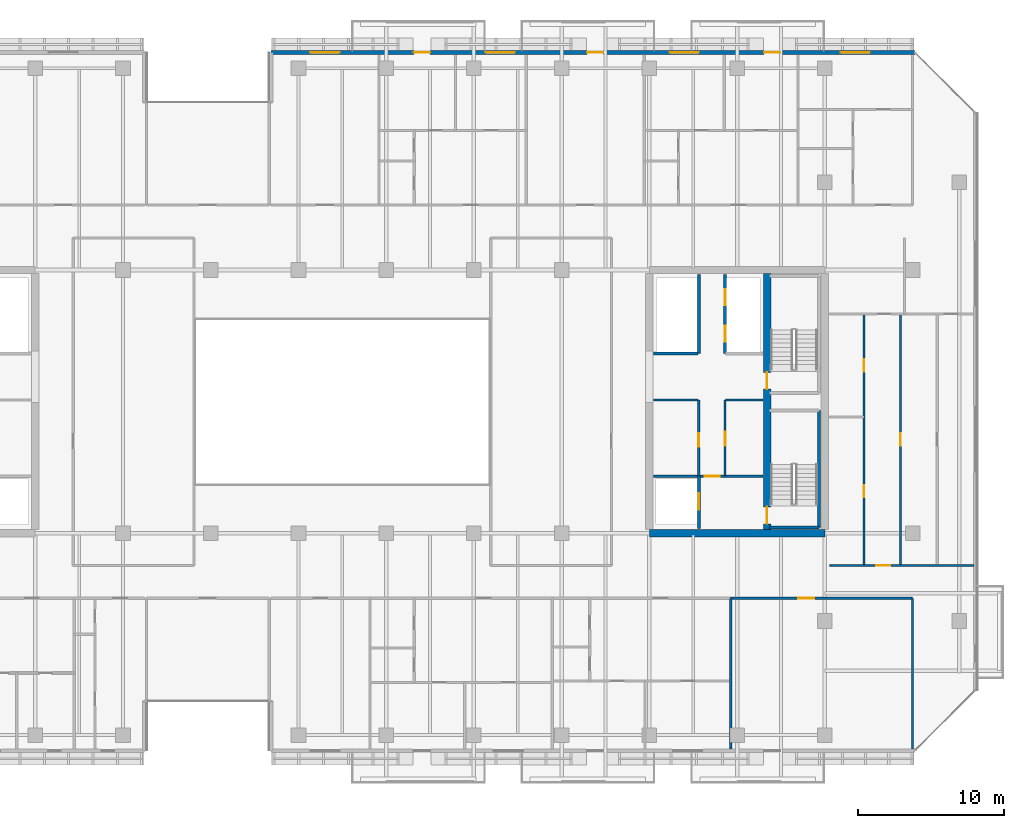
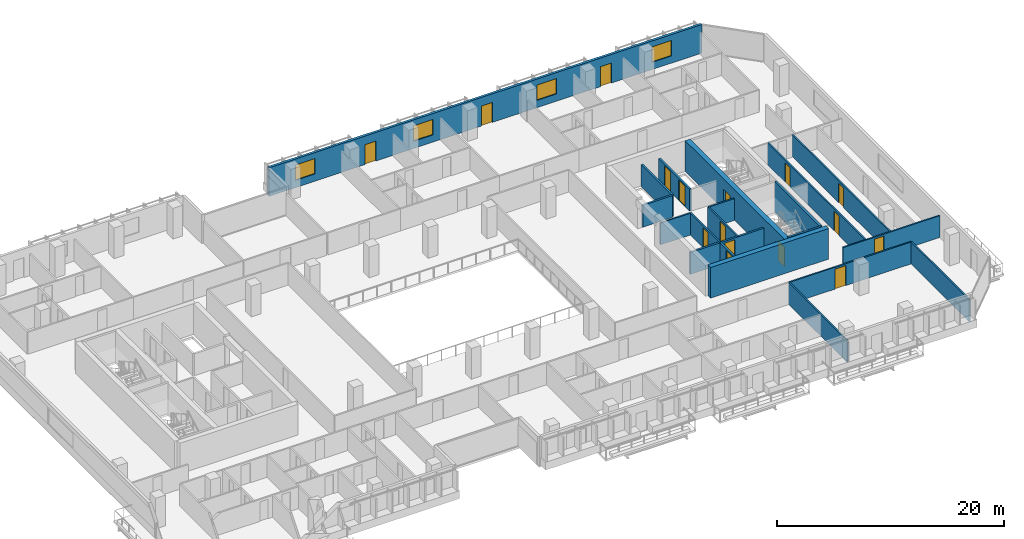
# One storey, part 25 of 33: 20 walls, 16 doors, 4 windows, 20 openings.
"""IFC4 building model written with IfcOpenShell, lengths in metres."""

import ifcopenshell
import ifcopenshell.guid

model = None  # the IFC model being written
_history = None  # IfcOwnerHistory: only IFC2X3 demands one
_inside = {}  # id of a spatial element -> (the spatial element, [elements in it])
_under = {}  # id of a project, library or spatial element -> (it, [spatial elements below it])
_declared = {}  # id of a project -> (the project, [libraries it declares])
_typed = {}  # id of a type object -> (the type object, [elements of that type])
_made_of = {}  # id of a material, layer set ... -> (it, [elements and type objects made of it])


def new_model(schema):
    """Start an empty IFC model of exactly this schema.

    Asked for "IFC4X3", IfcOpenShell would pick the latest addendum, in which some entities
    have other attributes; the version numbers below select the first issue.
    IFC2X3 requires an IfcOwnerHistory on every rooted entity: one is made here for all.
    """
    global model, _history
    if schema == "IFC4X3":
        model = ifcopenshell.file(schema_version=(4, 3, 0, 0))
    else:
        model = ifcopenshell.file(schema=schema)
    _inside.clear()
    _under.clear()
    _declared.clear()
    _typed.clear()
    _made_of.clear()
    _history = None
    if model.schema == "IFC2X3":
        org = make("IfcOrganization", Name="unknown")
        user = make(
            "IfcPersonAndOrganization",
            ThePerson=make("IfcPerson", FamilyName="unknown"),
            TheOrganization=org,
        )
        app = make(
            "IfcApplication",
            ApplicationDeveloper=org,
            Version="unknown",
            ApplicationFullName="unknown",
            ApplicationIdentifier="unknown",
        )
        _history = make(
            "IfcOwnerHistory",
            OwningUser=user,
            OwningApplication=app,
            ChangeAction="ADDED",
            CreationDate=0,
        )
    return model


def make(cls, **values):
    """One entity of the class cls with the attributes given. An attribute that is None is left unset."""
    return model.create_entity(
        cls, **{name: value for name, value in values.items() if value is not None}
    )


def rooted(cls, **values):
    """An entity with a GlobalId (a new one), such as an element, a storey or a relation."""
    return make(cls, GlobalId=ifcopenshell.guid.new(), OwnerHistory=_history, **values)


def si_unit(unit_type, name, prefix=None):
    """IfcSIUnit, for example si_unit("LENGTHUNIT", "METRE", prefix="MILLI")."""
    return make("IfcSIUnit", UnitType=unit_type, Prefix=prefix, Name=name)


def assignment(units):
    """IfcUnitAssignment: the units of a project."""
    return None if units is None else make("IfcUnitAssignment", Units=units)


def point(xyz):
    """IfcCartesianPoint."""
    return None if xyz is None else make("IfcCartesianPoint", Coordinates=xyz)


def direction(xyz):
    """IfcDirection."""
    return None if xyz is None else make("IfcDirection", DirectionRatios=xyz)


def frame(location, z_axis=None, x_axis=None):
    """IfcAxis2Placement3D, a coordinate frame: its origin and axes. An axis left out is left unset."""
    return make(
        "IfcAxis2Placement3D",
        Location=point(location),
        Axis=direction(z_axis),
        RefDirection=direction(x_axis),
    )


def frame_2d(location, x_axis=None):
    """IfcAxis2Placement2D, a coordinate frame in the plane: its origin and x axis."""
    return make(
        "IfcAxis2Placement2D", Location=point(location), RefDirection=direction(x_axis)
    )


def origin():
    """The frame at (0, 0, 0) with its axes left unset."""
    return frame((0.0, 0.0, 0.0))


def place(relative_to, where):
    """IfcLocalPlacement: puts the frame where relative to a parent placement (None: the world)."""
    return make(
        "IfcLocalPlacement", PlacementRelTo=relative_to, RelativePlacement=where
    )


def context(
    kind, dimensions, precision=None, world=None, true_north=None, identifier=None
):
    """IfcGeometricRepresentationContext, for example the 3D "Model" context."""
    return make(
        "IfcGeometricRepresentationContext",
        ContextIdentifier=identifier,
        ContextType=kind,
        CoordinateSpaceDimension=dimensions,
        Precision=precision,
        WorldCoordinateSystem=world,
        TrueNorth=true_north,
    )


def subcontext(parent, identifier, kind, view, scale=None):
    """IfcGeometricRepresentationSubContext, for example "Body" below "Model"."""
    return make(
        "IfcGeometricRepresentationSubContext",
        ContextIdentifier=identifier,
        ContextType=kind,
        ParentContext=parent,
        TargetScale=scale,
        TargetView=view,
    )


def project(units=None, contexts=None):
    """IfcProject with its units and contexts."""
    return rooted(
        "IfcProject",
        Name="project",
        RepresentationContexts=contexts,
        UnitsInContext=assignment(units),
    )


def spatial(cls, under=None, at=None, **own):
    """A site, building, storey or space (cls), placed at a placement, below another one or the project."""
    s = rooted(cls, ObjectPlacement=at, **own)
    if under is not None:
        _under.setdefault(under.id(), (under, []))[1].append(s)
    return s


def profile(cls, at=None, kind="AREA", **sizes):
    """A parametric profile (cls). Its sizes go by their IFC names, for example OverallWidth=200.0."""
    return make(cls, ProfileType=kind, Position=at, **sizes)


def rectangle(**sizes):
    """IfcRectangleProfileDef."""
    return profile("IfcRectangleProfileDef", **sizes)


def extrude(swept, where, along, depth):
    """IfcExtrudedAreaSolid: the profile swept, set in the frame where, extruded along a direction by depth."""
    return make(
        "IfcExtrudedAreaSolid",
        SweptArea=swept,
        Position=where,
        ExtrudedDirection=direction(along),
        Depth=depth,
    )


def shape(context_of_items, identifier, shape_type, items):
    """IfcShapeRepresentation: the items that make up one representation, for example the "Body"."""
    return make(
        "IfcShapeRepresentation",
        ContextOfItems=context_of_items,
        RepresentationIdentifier=identifier,
        RepresentationType=shape_type,
        Items=items,
    )


def material(Name=None, Category=None):
    """IfcMaterial."""
    return make("IfcMaterial", Name=Name, Category=Category)


def layer(
    of_material, thickness, ventilated=None, Name=None, Category=None, Priority=None
):
    """IfcMaterialLayer: one layer of a wall or slab, of a material (None: an air gap)."""
    return make(
        "IfcMaterialLayer",
        Material=of_material,
        LayerThickness=thickness,
        IsVentilated=ventilated,
        Name=Name,
        Category=Category,
        Priority=Priority,
    )


def layer_set(layers, Name=None):
    """IfcMaterialLayerSet."""
    return make("IfcMaterialLayerSet", MaterialLayers=layers, LayerSetName=Name)


def made_of(thing, what):
    """Note that an element or type object is made of a material, layer set ...; save() writes the relation."""
    if what is not None:
        _made_of.setdefault(what.id(), (what, []))[1].append(thing)
    return thing


def type_object(cls, material=None, **own):
    """A type object (cls), such as IfcWallType, which elements share."""
    return made_of(rooted(cls, **own), material)


def element(
    cls,
    number,
    at=None,
    inside=None,
    cuts=None,
    type_object=None,
    material=None,
    context=None,
    identifier="Body",
    shape_type=None,
    held_by="IfcProductDefinitionShape",
    body=None,
    shapes=None,
    **own,
):
    """One element of the class cls, such as IfcWall. Its Tag is "e" and its number.

    at: its placement. inside: the storey or other place that contains it. cuts: it is an
    opening in that element (IfcRelVoidsElement). A single representation is given by context,
    identifier, shape_type and body (its items); several are given by shapes. held_by: the class
    of the entity that holds the representations. save() writes the other relations.
    """
    e = rooted(cls, Tag="e%d" % number, ObjectPlacement=at, **own)
    if body is not None:
        shapes = [shape(context, identifier, shape_type, body)]
    if shapes is not None:
        e.Representation = make(held_by, Representations=shapes)
    if inside is not None:
        _inside.setdefault(inside.id(), (inside, []))[1].append(e)
    if cuts is not None:
        rooted(
            "IfcRelVoidsElement", RelatingBuildingElement=cuts, RelatedOpeningElement=e
        )
    if type_object is not None:
        _typed.setdefault(type_object.id(), (type_object, []))[1].append(e)
    return made_of(e, material)


def fill(opening, filler):
    """IfcRelFillsElement: the door or window that sits in an opening."""
    return rooted(
        "IfcRelFillsElement",
        RelatingOpeningElement=opening,
        RelatedBuildingElement=filler,
    )


def aggregate(whole, parts):
    """IfcRelAggregates: a whole, such as a stair, and the parts it consists of."""
    return rooted("IfcRelAggregates", RelatingObject=whole, RelatedObjects=parts)


def save(model, path):
    """Write the relations noted so far, then the file.

    IfcRelAggregates (storeys below a building ...), IfcRelContainedInSpatialStructure (elements
    in a storey), IfcRelDefinesByType, IfcRelAssociatesMaterial and IfcRelDeclares: one each for
    every whole, place, type object, material and project.
    """
    for whole, parts in _under.values():
        aggregate(whole, parts)
    for where, things in _inside.values():
        rooted(
            "IfcRelContainedInSpatialStructure",
            RelatedElements=things,
            RelatingStructure=where,
        )
    for kind, things in _typed.values():
        rooted("IfcRelDefinesByType", RelatedObjects=things, RelatingType=kind)
    for what, things in _made_of.values():
        rooted("IfcRelAssociatesMaterial", RelatedObjects=things, RelatingMaterial=what)
    for by, libraries in _declared.values():
        rooted("IfcRelDeclares", RelatingContext=by, RelatedDefinitions=libraries)
    model.write(path)


model = new_model("IFC4")

# Units and contexts
model_context = context("Model", 3, precision=1e-05, world=origin(), true_north=direction((0.0, 1.0)))
body_context = subcontext(model_context, "Body", "Model", "MODEL_VIEW")
ifc_project = project(units=[si_unit("LENGTHUNIT", "METRE"), si_unit("AREAUNIT", "SQUARE_METRE"), si_unit("VOLUMEUNIT", "CUBIC_METRE"), si_unit("PLANEANGLEUNIT", "RADIAN"), si_unit("MASSUNIT", "GRAM", prefix="KILO")], contexts=[model_context])

# Site, building, storey
site_placement = place(None, origin())
site = spatial("IfcSite", under=ifc_project, at=site_placement, CompositionType="ELEMENT")
building_placement = place(site_placement, origin())
building = spatial("IfcBuilding", under=site, at=building_placement, Name="Tanjung Sevakor Pilgrim Tower", CompositionType="ELEMENT")
storey_placement = place(building_placement, frame((0.0, 0.0, 95.3701171875)))
storey = spatial("IfcBuildingStorey", under=building, at=storey_placement, Name="L26", CompositionType="ELEMENT", Elevation=95.3701171875)

# Wall
ifc_material_1 = material(Name="Concrete C60/75", Category="concrete")
ifc_layer_1 = layer(ifc_material_1, 0.5)
ifc_layer_set_1 = layer_set([ifc_layer_1], Name="WALL-CW-500")
wall_type_1 = type_object("IfcWallType", Name="WALL-CW-500", PredefinedType="SHEAR", material=ifc_layer_set_1)
wall_1_placement = place(storey_placement, frame((78.0, 24.60009765625, 0.0), z_axis=(0.0, 0.0, 1.0), x_axis=(1.0, 0.0, 0.0)))
element("IfcWall", 1, at=wall_1_placement, inside=storey, type_object=wall_type_1, Name="L26 E Core South Shear Wall", PredefinedType="SHEAR", context=body_context, shape_type="SweptSolid", body=[
    extrude(rectangle(XDim=12.0, YDim=0.5, at=frame_2d((6.0, 0.0))), origin(), (0.0, 0.0, 1.0), 3.2998046875),
])

# Wall, openings, doors
wall_2_placement = place(storey_placement, frame((86.050048828125, 24.85009765625, 0.0), z_axis=(0.0, 0.0, 1.0), x_axis=(0.0, 1.0, 0.0)))
wall_2 = element("IfcWall", 2, at=wall_2_placement, inside=storey, type_object=wall_type_1, Name="L26 E Core Stair Spine Wall", PredefinedType="SHEAR", context=body_context, shape_type="SweptSolid", body=[
    extrude(rectangle(XDim=17.5, YDim=0.5, at=frame_2d((8.75, 0.0))), origin(), (0.0, 0.0, 1.0), 3.2998046875),
])
opening_1_placement = place(wall_2_placement, frame((0.39990234375, 0.0, 0.0)))
opening_1 = element("IfcOpeningElement", 3, at=opening_1_placement, cuts=wall_2, Name="Opening ID-ST1", PredefinedType="OPENING", context=body_context, shape_type="SweptSolid", body=[
    extrude(rectangle(XDim=1.14990234375, YDim=2.14990234375, at=frame_2d((0.574951171875, 1.074951171875))), frame((0.0, 0.260009765625, 0.0), z_axis=(0.0, -1.0, 0.0), x_axis=(1.0, 0.0, 0.0)), (0.0, 0.0, 1.0), 0.52001953125),
])
opening_2_placement = place(wall_2_placement, frame((9.60009765625, 0.0, 0.0)))
opening_2 = element("IfcOpeningElement", 4, at=opening_2_placement, cuts=wall_2, Name="Opening ID-ST1", PredefinedType="OPENING", context=body_context, shape_type="SweptSolid", body=[
    extrude(rectangle(XDim=1.14990234375, YDim=2.14990234375, at=frame_2d((0.574951171875, 1.074951171875))), frame((0.0, 0.260009765625, 0.0), z_axis=(0.0, -1.0, 0.0), x_axis=(1.0, 0.0, 0.0)), (0.0, 0.0, 1.0), 0.52001953125),
])
ifc_material_2 = material(Name="Fire-Rated Steel S355J2", Category="steel")
door_type_1 = type_object("IfcDoorType", Name="DT-FIRE-1150", OperationType="NOTDEFINED", PredefinedType="DOOR", material=ifc_material_2)
door_1_placement = place(opening_1_placement, origin())
door_1 = element("IfcDoor", 5, at=door_1_placement, inside=storey, type_object=door_type_1, Name="L26 TS-E1 Stair Fire Door", OperationType="SINGLE_SWING_LEFT", OverallHeight=2.14990234375, OverallWidth=1.14990234375, PredefinedType="DOOR", context=body_context, shape_type="SweptSolid", body=[
    extrude(rectangle(XDim=1.14990234375, YDim=2.14990234375, at=frame_2d((0.574951171875, 1.074951171875))), frame((0.0, 0.02490234375, 0.0), z_axis=(0.0, -1.0, 0.0), x_axis=(1.0, 0.0, 0.0)), (0.0, 0.0, 1.0), 0.050048828125),
])
fill(opening_1, door_1)
door_2_placement = place(opening_2_placement, origin())
door_2 = element("IfcDoor", 6, at=door_2_placement, inside=storey, type_object=door_type_1, Name="L26 TS-E2 Stair Fire Door", OperationType="SINGLE_SWING_RIGHT", OverallHeight=2.14990234375, OverallWidth=1.14990234375, PredefinedType="DOOR", context=body_context, shape_type="SweptSolid", body=[
    extrude(rectangle(XDim=1.14990234375, YDim=2.14990234375, at=frame_2d((0.574951171875, 1.074951171875))), frame((0.0, 0.02490234375, 0.0), z_axis=(0.0, -1.0, 0.0), x_axis=(1.0, 0.0, 0.0)), (0.0, 0.0, 1.0), 0.050048828125),
])
fill(opening_2, door_2)

# Wall
ifc_material_3 = material(Name="Concrete C40/50", Category="concrete")
ifc_layer_2 = layer(ifc_material_3, 0.14990234375)
ifc_layer_set_2 = layer_set([ifc_layer_2], Name="WT-COMP-150")
wall_type_2 = type_object("IfcWallType", Name="WT-COMP-150", PredefinedType="SOLIDWALL", material=ifc_layer_set_2)
wall_3_placement = place(storey_placement, frame((83.199951171875, 33.719970703125, 0.0), z_axis=(0.0, 0.0, 1.0), x_axis=(1.0, 0.0, 0.0)))
element("IfcWall", 7, at=wall_3_placement, inside=storey, type_object=wall_type_2, Name="L26 Partition IW-L26-013", PredefinedType="SOLIDWALL", context=body_context, shape_type="SweptSolid", body=[
    extrude(rectangle(XDim=2.580078125, YDim=0.14990234375, at=frame_2d((1.2900390625, 0.0))), origin(), (0.0, 0.0, 1.0), 2.35009765625),
])

# Wall, opening, door
wall_4_placement = place(storey_placement, frame((83.179931640625, 28.5, 0.0), z_axis=(0.0, 0.0, 1.0), x_axis=(0.0, 1.0, 0.0)))
wall_4 = element("IfcWall", 8, at=wall_4_placement, inside=storey, type_object=wall_type_2, Name="L26 Partition IW-L26-014", PredefinedType="SOLIDWALL", context=body_context, shape_type="SweptSolid", body=[
    extrude(rectangle(XDim=5.219970703125, YDim=0.14990234375, at=frame_2d((2.60986328125, 0.0))), origin(), (0.0, 0.0, 1.0), 2.35009765625),
])
opening_3_placement = place(wall_4_placement, frame((2.10009765625, 0.0, 0.0)))
opening_3 = element("IfcOpeningElement", 9, at=opening_3_placement, cuts=wall_4, Name="Opening ID-FD2", PredefinedType="OPENING", context=body_context, shape_type="SweptSolid", body=[
    extrude(rectangle(XDim=0.949951171875, YDim=2.14990234375, at=frame_2d((0.47509765625, 1.074951171875))), frame((0.0, 0.0849609375, 0.0), z_axis=(0.0, -1.0, 0.0), x_axis=(1.0, 0.0, 0.0)), (0.0, 0.0, 1.0), 0.169921875),
])
ifc_material_4 = material(Name="Fire-Rated Timber", Category="wood")
door_type_2 = type_object("IfcDoorType", Name="DT-FIRE-950", OperationType="NOTDEFINED", PredefinedType="DOOR", material=ifc_material_4)
door_3_placement = place(opening_3_placement, origin())
door_3 = element("IfcDoor", 10, at=door_3_placement, inside=storey, type_object=door_type_2, Name="L26 Housekeeping Pantry Door", OperationType="SINGLE_SWING_RIGHT", OverallHeight=2.14990234375, OverallWidth=0.949951171875, PredefinedType="DOOR", context=body_context, shape_type="SweptSolid", body=[
    extrude(rectangle(XDim=0.949951171875, YDim=2.14990234375, at=frame_2d((0.47509765625, 1.074951171875))), frame((0.0, 0.02490234375, 0.0), z_axis=(0.0, -1.0, 0.0), x_axis=(1.0, 0.0, 0.0)), (0.0, 0.0, 1.0), 0.050048828125),
])
fill(opening_3, door_3)

# Wall
wall_5_placement = place(storey_placement, frame((78.27001953125, 33.719970703125, 0.0), z_axis=(0.0, 0.0, 1.0), x_axis=(1.0, 0.0, 0.0)))
element("IfcWall", 11, at=wall_5_placement, inside=storey, type_object=wall_type_2, Name="L26 Partition IW-L26-015", PredefinedType="SOLIDWALL", context=body_context, shape_type="SweptSolid", body=[
    extrude(rectangle(XDim=3.050048828125, YDim=0.14990234375, at=frame_2d((1.52490234375, 0.0))), origin(), (0.0, 0.0, 1.0), 2.35009765625),
])

# Wall, opening, door
wall_6_placement = place(storey_placement, frame((81.3798828125, 28.5, 0.0), z_axis=(0.0, 0.0, 1.0), x_axis=(0.0, 1.0, 0.0)))
wall_6 = element("IfcWall", 12, at=wall_6_placement, inside=storey, type_object=wall_type_2, Name="L26 Partition IW-L26-016", PredefinedType="SOLIDWALL", context=body_context, shape_type="SweptSolid", body=[
    extrude(rectangle(XDim=5.219970703125, YDim=0.14990234375, at=frame_2d((2.60986328125, 0.0))), origin(), (0.0, 0.0, 1.0), 2.35009765625),
])
opening_4_placement = place(wall_6_placement, frame((2.0, 0.0, 0.0)))
opening_4 = element("IfcOpeningElement", 13, at=opening_4_placement, cuts=wall_6, Name="Opening ID-FD2", PredefinedType="OPENING", context=body_context, shape_type="SweptSolid", body=[
    extrude(rectangle(XDim=0.949951171875, YDim=2.14990234375, at=frame_2d((0.47509765625, 1.074951171875))), frame((0.0, 0.0849609375, 0.0), z_axis=(0.0, -1.0, 0.0), x_axis=(1.0, 0.0, 0.0)), (0.0, 0.0, 1.0), 0.169921875),
])
door_4_placement = place(opening_4_placement, origin())
door_4 = element("IfcDoor", 14, at=door_4_placement, inside=storey, type_object=door_type_2, Name="L26 Accessible WC Door", OperationType="SINGLE_SWING_LEFT", OverallHeight=2.14990234375, OverallWidth=0.949951171875, PredefinedType="DOOR", context=body_context, shape_type="SweptSolid", body=[
    extrude(rectangle(XDim=0.949951171875, YDim=2.14990234375, at=frame_2d((0.47509765625, 1.074951171875))), frame((0.0, 0.02490234375, 0.0), z_axis=(0.0, -1.0, 0.0), x_axis=(1.0, 0.0, 0.0)), (0.0, 0.0, 1.0), 0.050048828125),
])
fill(opening_4, door_4)

wall_7_placement = place(storey_placement, frame((90.320068359375, 22.39990234375, 0.0), z_axis=(0.0, 0.0, 1.0), x_axis=(1.0, 0.0, 0.0)))
wall_7 = element("IfcWall", 15, at=wall_7_placement, inside=storey, type_object=wall_type_2, Name="L26 Partition IW-L26-036", PredefinedType="SOLIDWALL", context=body_context, shape_type="SweptSolid", body=[
    extrude(rectangle(XDim=9.869873046875, YDim=0.14990234375, at=frame_2d((4.93505859375, 0.0))), origin(), (0.0, 0.0, 1.0), 2.35009765625),
])
opening_5_placement = place(wall_7_placement, frame((3.193359375, 0.0, 0.0)))
opening_5 = element("IfcOpeningElement", 16, at=opening_5_placement, cuts=wall_7, Name="Opening ID-FD2", PredefinedType="OPENING", context=body_context, shape_type="SweptSolid", body=[
    extrude(rectangle(XDim=0.949951171875, YDim=2.14990234375, at=frame_2d((0.47509765625, 1.074951171875))), frame((0.0, 0.0849609375, 0.0), z_axis=(0.0, -1.0, 0.0), x_axis=(1.0, 0.0, 0.0)), (0.0, 0.0, 1.0), 0.169921875),
])
door_5_placement = place(opening_5_placement, origin())
door_5 = element("IfcDoor", 17, at=door_5_placement, inside=storey, type_object=door_type_2, Name="Suite Entrance", OperationType="SINGLE_SWING_LEFT", OverallHeight=2.14990234375, OverallWidth=0.949951171875, PredefinedType="DOOR", context=body_context, shape_type="SweptSolid", body=[
    extrude(rectangle(XDim=0.949951171875, YDim=2.14990234375, at=frame_2d((0.47509765625, 1.074951171875))), frame((0.0, 0.02490234375, 0.0), z_axis=(0.0, -1.0, 0.0), x_axis=(1.0, 0.0, 0.0)), (0.0, 0.0, 1.0), 0.050048828125),
])
fill(opening_5, door_5)

# Walls
for number, where, z_axis, x_axis, name in (
    (18, (96.0, 9.85009765625, 0.0), (0.0, 0.0, 1.0), (0.0, 1.0, 0.0), "L26 Partition IW-L26-059"),
    (19, (83.5595703125, 9.85009765625, 0.0), (0.0, 0.0, 1.0), (0.0, 1.0, 0.0), "L26 Partition IW-L26-068"),
):
    element("IfcWall", number, at=place(storey_placement, frame(where, z_axis=z_axis, x_axis=x_axis)), inside=storey, type_object=wall_type_2, Name=name, PredefinedType="SOLIDWALL", context=body_context, shape_type="SweptSolid", body=[
        extrude(rectangle(XDim=10.2998046875, YDim=0.14990234375, at=frame_2d((5.14990234375, 0.0))), origin(), (0.0, 0.0, 1.0), 2.35009765625),
    ])

# Wall, opening, door
wall_8_placement = place(storey_placement, frame((83.5595703125, 20.14990234375, 0.0), z_axis=(0.0, 0.0, 1.0), x_axis=(1.0, 0.0, 0.0)))
wall_8 = element("IfcWall", 20, at=wall_8_placement, inside=storey, type_object=wall_type_2, Name="L26 Partition IW-L26-074", PredefinedType="SOLIDWALL", context=body_context, shape_type="SweptSolid", body=[
    extrude(rectangle(XDim=12.4404296875, YDim=0.14990234375, at=frame_2d((6.22021484375, 0.0))), origin(), (0.0, 0.0, 1.0), 2.35009765625),
])
opening_6_placement = place(wall_8_placement, frame((4.6201171875, 0.0, 0.0)))
opening_6 = element("IfcOpeningElement", 21, at=opening_6_placement, cuts=wall_8, Name="Opening ID-FD0", PredefinedType="OPENING", context=body_context, shape_type="SweptSolid", body=[
    extrude(rectangle(XDim=1.10009765625, YDim=2.14990234375, at=frame_2d((0.550048828125, 1.074951171875))), frame((0.0, 0.0849609375, 0.0), z_axis=(0.0, -1.0, 0.0), x_axis=(1.0, 0.0, 0.0)), (0.0, 0.0, 1.0), 0.169921875),
])
ifc_material_5 = material(Name="Fire-Rated Steel S355J2", Category="steel")
door_type_3 = type_object("IfcDoorType", Name="DT-FIRE-1100", OperationType="NOTDEFINED", PredefinedType="DOOR", material=ifc_material_5)
door_6_placement = place(opening_6_placement, origin())
door_6 = element("IfcDoor", 22, at=door_6_placement, inside=storey, type_object=door_type_3, Name="Communal Lounge Door", OperationType="SINGLE_SWING_RIGHT", OverallHeight=2.14990234375, OverallWidth=1.10009765625, PredefinedType="DOOR", context=body_context, shape_type="SweptSolid", body=[
    extrude(rectangle(XDim=1.10009765625, YDim=2.14990234375, at=frame_2d((0.550048828125, 1.074951171875))), frame((0.0, 0.02490234375, 0.0), z_axis=(0.0, -1.0, 0.0), x_axis=(1.0, 0.0, 0.0)), (0.0, 0.0, 1.0), 0.050048828125),
])
fill(opening_6, door_6)

# Wall, openings, doors, windows
ifc_material_6 = material(Name="Precast concrete C45/55", Category="concrete")
ifc_layer_3 = layer(ifc_material_6, 0.25)
ifc_layer_set_3 = layer_set([ifc_layer_3], Name="WT-EW-STN3")
wall_type_3 = type_object("IfcWallType", Name="WT-EW-STN3", PredefinedType="SOLIDWALL", material=ifc_layer_set_3)
wall_9_placement = place(storey_placement, frame((96.148193359375, 57.47509765625, 0.0), z_axis=(0.0, 0.0, 1.0), x_axis=(-1.0, 0.0, 0.0)))
wall_9 = element("IfcWall", 23, at=wall_9_placement, inside=storey, type_object=wall_type_3, Name="L26 MAIN Exterior Wall 9", PredefinedType="SOLIDWALL", context=body_context, shape_type="SweptSolid", body=[
    extrude(rectangle(XDim=44.023193359375, YDim=0.25, at=frame_2d((22.01171875, 0.0))), origin(), (0.0, 0.0, 1.0), 3.080078125),
])
opening_7_placement = place(wall_9_placement, frame((33.148193359375, 0.0, 0.0)))
opening_7 = element("IfcOpeningElement", 24, at=opening_7_placement, cuts=wall_9, Name="Opening ED-BAL-1100", PredefinedType="OPENING", context=body_context, shape_type="SweptSolid", body=[
    extrude(rectangle(XDim=1.10009765625, YDim=2.14990234375, at=frame_2d((0.550048828125, 1.074951171875))), frame((0.0, 0.135009765625, 0.0), z_axis=(0.0, -1.0, 0.0), x_axis=(1.0, 0.0, 0.0)), (0.0, 0.0, 1.0), 0.27001953125),
])
opening_8_placement = place(wall_9_placement, frame((21.298095703125, 0.0, 0.0)))
opening_8 = element("IfcOpeningElement", 25, at=opening_8_placement, cuts=wall_9, Name="Opening ED-BAL-1100", PredefinedType="OPENING", context=body_context, shape_type="SweptSolid", body=[
    extrude(rectangle(XDim=1.10009765625, YDim=2.14990234375, at=frame_2d((0.550048828125, 1.074951171875))), frame((0.0, 0.135009765625, 0.0), z_axis=(0.0, -1.0, 0.0), x_axis=(1.0, 0.0, 0.0)), (0.0, 0.0, 1.0), 0.27001953125),
])
opening_9_placement = place(wall_9_placement, frame((9.1982421875, 0.0, 0.0)))
opening_9 = element("IfcOpeningElement", 26, at=opening_9_placement, cuts=wall_9, Name="Opening ED-BAL-1100", PredefinedType="OPENING", context=body_context, shape_type="SweptSolid", body=[
    extrude(rectangle(XDim=1.10009765625, YDim=2.14990234375, at=frame_2d((0.550048828125, 1.074951171875))), frame((0.0, 0.135009765625, 0.0), z_axis=(0.0, -1.0, 0.0), x_axis=(1.0, 0.0, 0.0)), (0.0, 0.0, 1.0), 0.27001953125),
])
opening_10_placement = place(wall_9_placement, frame((39.334228515625, 0.0, 0.780029296875)))
opening_10 = element("IfcOpeningElement", 27, at=opening_10_placement, cuts=wall_9, Name="Opening WN-Z2-1660", PredefinedType="OPENING", context=body_context, shape_type="SweptSolid", body=[
    extrude(rectangle(XDim=2.0, YDim=1.659912109375, at=frame_2d((1.0, 0.830078125))), frame((0.0, 0.135009765625, 0.0), z_axis=(0.0, -1.0, 0.0), x_axis=(1.0, 0.0, 0.0)), (0.0, 0.0, 1.0), 0.27001953125),
])
opening_11_placement = place(wall_9_placement, frame((27.353515625, 0.0, 0.780029296875)))
opening_11 = element("IfcOpeningElement", 28, at=opening_11_placement, cuts=wall_9, Name="Opening WN-Z2-1660", PredefinedType="OPENING", context=body_context, shape_type="SweptSolid", body=[
    extrude(rectangle(XDim=2.0, YDim=1.659912109375, at=frame_2d((1.0, 0.830078125))), frame((0.0, 0.135009765625, 0.0), z_axis=(0.0, -1.0, 0.0), x_axis=(1.0, 0.0, 0.0)), (0.0, 0.0, 1.0), 0.27001953125),
])
opening_12_placement = place(wall_9_placement, frame((14.760498046875, 0.0, 0.780029296875)))
opening_12 = element("IfcOpeningElement", 29, at=opening_12_placement, cuts=wall_9, Name="Opening WN-Z2-1660", PredefinedType="OPENING", context=body_context, shape_type="SweptSolid", body=[
    extrude(rectangle(XDim=2.0, YDim=1.659912109375, at=frame_2d((1.0, 0.830078125))), frame((0.0, 0.135009765625, 0.0), z_axis=(0.0, -1.0, 0.0), x_axis=(1.0, 0.0, 0.0)), (0.0, 0.0, 1.0), 0.27001953125),
])
opening_13_placement = place(wall_9_placement, frame((3.066162109375, 0.0, 0.780029296875)))
opening_13 = element("IfcOpeningElement", 30, at=opening_13_placement, cuts=wall_9, Name="Opening WN-Z2-1660", PredefinedType="OPENING", context=body_context, shape_type="SweptSolid", body=[
    extrude(rectangle(XDim=2.0, YDim=1.659912109375, at=frame_2d((1.0, 0.830078125))), frame((0.0, 0.135009765625, 0.0), z_axis=(0.0, -1.0, 0.0), x_axis=(1.0, 0.0, 0.0)), (0.0, 0.0, 1.0), 0.27001953125),
])
ifc_material_7 = material(Name="Anodised Aluminium and Laminated Glass", Category="aluminium")
door_type_4 = type_object("IfcDoorType", Name="DTYP-ED-BAL-1100", OperationType="NOTDEFINED", PredefinedType="DOOR", material=ifc_material_7)
door_7_placement = place(opening_7_placement, frame((1.10009765625, 0.0, 0.0), z_axis=(0.0, 0.0, 1.0), x_axis=(-1.0, 0.0, 0.0)))
door_7 = element("IfcDoor", 31, at=door_7_placement, inside=storey, type_object=door_type_4, Name="L26 Balcony Door MAIN-N2", OperationType="SINGLE_SWING_LEFT", OverallHeight=2.14990234375, OverallWidth=1.10009765625, PredefinedType="DOOR", context=body_context, shape_type="SweptSolid", body=[
    extrude(rectangle(XDim=1.10009765625, YDim=2.14990234375, at=frame_2d((0.550048828125, 1.074951171875))), frame((0.0, 0.02490234375, 0.0), z_axis=(0.0, -1.0, 0.0), x_axis=(1.0, 0.0, 0.0)), (0.0, 0.0, 1.0), 0.050048828125),
])
fill(opening_7, door_7)
door_8_placement = place(opening_8_placement, frame((1.10009765625, 0.0, 0.0), z_axis=(0.0, 0.0, 1.0), x_axis=(-1.0, 0.0, 0.0)))
door_8 = element("IfcDoor", 32, at=door_8_placement, inside=storey, type_object=door_type_4, Name="L26 Balcony Door MAIN-N3", OperationType="SINGLE_SWING_RIGHT", OverallHeight=2.14990234375, OverallWidth=1.10009765625, PredefinedType="DOOR", context=body_context, shape_type="SweptSolid", body=[
    extrude(rectangle(XDim=1.10009765625, YDim=2.14990234375, at=frame_2d((0.550048828125, 1.074951171875))), frame((0.0, 0.02490234375, 0.0), z_axis=(0.0, -1.0, 0.0), x_axis=(1.0, 0.0, 0.0)), (0.0, 0.0, 1.0), 0.050048828125),
])
fill(opening_8, door_8)
door_9_placement = place(opening_9_placement, frame((1.10009765625, 0.0, 0.0), z_axis=(0.0, 0.0, 1.0), x_axis=(-1.0, 0.0, 0.0)))
door_9 = element("IfcDoor", 33, at=door_9_placement, inside=storey, type_object=door_type_4, Name="L26 Balcony Door MAIN-N4", OperationType="SINGLE_SWING_LEFT", OverallHeight=2.14990234375, OverallWidth=1.10009765625, PredefinedType="DOOR", context=body_context, shape_type="SweptSolid", body=[
    extrude(rectangle(XDim=1.10009765625, YDim=2.14990234375, at=frame_2d((0.550048828125, 1.074951171875))), frame((0.0, 0.02490234375, 0.0), z_axis=(0.0, -1.0, 0.0), x_axis=(1.0, 0.0, 0.0)), (0.0, 0.0, 1.0), 0.050048828125),
])
fill(opening_9, door_9)
ifc_material_8 = material(Name="Thermally Broken Aluminium and Low-E Glass", Category="aluminium")
window_type = type_object("IfcWindowType", Name="WTYP-WN-Z2-1660", PartitioningType="DOUBLE_PANEL_VERTICAL", PredefinedType="WINDOW", material=ifc_material_8)
window_1_placement = place(opening_10_placement, origin())
window_1 = element("IfcWindow", 34, at=window_1_placement, inside=storey, type_object=window_type, Name="L26 Facade Window 01", OverallHeight=1.659912109375, OverallWidth=2.0, PartitioningType="SINGLE_PANEL", PredefinedType="WINDOW", context=body_context, shape_type="SweptSolid", body=[
    extrude(rectangle(XDim=2.0, YDim=1.659912109375, at=frame_2d((1.0, 0.830078125))), frame((0.0, 0.030029296875, 0.0), z_axis=(0.0, -1.0, 0.0), x_axis=(1.0, 0.0, 0.0)), (0.0, 0.0, 1.0), 0.06005859375),
])
fill(opening_10, window_1)
window_2_placement = place(opening_11_placement, origin())
window_2 = element("IfcWindow", 35, at=window_2_placement, inside=storey, type_object=window_type, Name="L26 Facade Window 02", OverallHeight=1.659912109375, OverallWidth=2.0, PartitioningType="SINGLE_PANEL", PredefinedType="WINDOW", context=body_context, shape_type="SweptSolid", body=[
    extrude(rectangle(XDim=2.0, YDim=1.659912109375, at=frame_2d((1.0, 0.830078125))), frame((0.0, 0.030029296875, 0.0), z_axis=(0.0, -1.0, 0.0), x_axis=(1.0, 0.0, 0.0)), (0.0, 0.0, 1.0), 0.06005859375),
])
fill(opening_11, window_2)
window_3_placement = place(opening_12_placement, origin())
window_3 = element("IfcWindow", 36, at=window_3_placement, inside=storey, type_object=window_type, Name="L26 Facade Window 03", OverallHeight=1.659912109375, OverallWidth=2.0, PartitioningType="SINGLE_PANEL", PredefinedType="WINDOW", context=body_context, shape_type="SweptSolid", body=[
    extrude(rectangle(XDim=2.0, YDim=1.659912109375, at=frame_2d((1.0, 0.830078125))), frame((0.0, 0.030029296875, 0.0), z_axis=(0.0, -1.0, 0.0), x_axis=(1.0, 0.0, 0.0)), (0.0, 0.0, 1.0), 0.06005859375),
])
fill(opening_12, window_3)
window_4_placement = place(opening_13_placement, origin())
window_4 = element("IfcWindow", 37, at=window_4_placement, inside=storey, type_object=window_type, Name="L26 Facade Window 04", OverallHeight=1.659912109375, OverallWidth=2.0, PartitioningType="SINGLE_PANEL", PredefinedType="WINDOW", context=body_context, shape_type="SweptSolid", body=[
    extrude(rectangle(XDim=2.0, YDim=1.659912109375, at=frame_2d((1.0, 0.830078125))), frame((0.0, 0.030029296875, 0.0), z_axis=(0.0, -1.0, 0.0), x_axis=(1.0, 0.0, 0.0)), (0.0, 0.0, 1.0), 0.06005859375),
])
fill(opening_13, window_4)

# Walls
ifc_material_9 = material(Name="Concrete C40/50", Category="concrete")
ifc_layer_4 = layer(ifc_material_9, 0.199951171875)
ifc_layer_set_4 = layer_set([ifc_layer_4], Name="WT-FIRE-200")
wall_type_4 = type_object("IfcWallType", Name="WT-FIRE-200", PredefinedType="SOLIDWALL", material=ifc_layer_set_4)
wall_10_placement = place(storey_placement, frame((86.199951171875, 25.0, 0.0), z_axis=(0.0, 0.0, 1.0), x_axis=(1.0, 0.0, 0.0)))
element("IfcWall", 38, at=wall_10_placement, inside=storey, type_object=wall_type_4, Name="L26 TS-E1 Shaft Wall 1", PredefinedType="SOLIDWALL", context=body_context, shape_type="SweptSolid", body=[
    extrude(rectangle(XDim=3.400146484375, YDim=0.199951171875, at=frame_2d((1.7001953125, 0.0))), origin(), (0.0, 0.0, 1.0), 3.2998046875),
])
wall_11_placement = place(storey_placement, frame((89.60009765625, 25.0, 0.0), z_axis=(0.0, 0.0, 1.0), x_axis=(0.0, 1.0, 0.0)))
element("IfcWall", 39, at=wall_11_placement, inside=storey, type_object=wall_type_4, Name="L26 TS-E1 Shaft Wall 2", PredefinedType="SOLIDWALL", context=body_context, shape_type="SweptSolid", body=[
    extrude(rectangle(XDim=8.0, YDim=0.199951171875, at=frame_2d((4.0, 0.0))), origin(), (0.0, 0.0, 1.0), 3.2998046875),
])

# Wall, opening, door
ifc_material_10 = material(Name="Concrete C40/50", Category="concrete")
ifc_layer_5 = layer(ifc_material_10, 0.199951171875)
ifc_layer_set_5 = layer_set([ifc_layer_5], Name="WT-FPRT-200")
wall_type_5 = type_object("IfcWallType", Name="WT-FPRT-200", PredefinedType="SOLIDWALL", material=ifc_layer_set_5)
wall_12_placement = place(storey_placement, frame((81.39990234375, 24.919921875, 0.0), z_axis=(0.0, 0.0, 1.0), x_axis=(0.0, 1.0, 0.0)))
wall_12 = element("IfcWall", 40, at=wall_12_placement, inside=storey, type_object=wall_type_5, Name="L26 Partition IW-L26-011", PredefinedType="SOLIDWALL", context=body_context, shape_type="SweptSolid", body=[
    extrude(rectangle(XDim=3.580078125, YDim=0.199951171875, at=frame_2d((1.7900390625, 0.0))), origin(), (0.0, 0.0, 1.0), 2.35009765625),
])
opening_14_placement = place(wall_12_placement, frame((1.300048828125, 0.0, 0.0)))
opening_14 = element("IfcOpeningElement", 41, at=opening_14_placement, cuts=wall_12, Name="Opening LD-1100", PredefinedType="OPENING", context=body_context, shape_type="SweptSolid", body=[
    extrude(rectangle(XDim=1.10009765625, YDim=2.199951171875, at=frame_2d((0.550048828125, 1.10009765625))), frame((0.0, 0.10986328125, 0.0), z_axis=(0.0, -1.0, 0.0), x_axis=(1.0, 0.0, 0.0)), (0.0, 0.0, 1.0), 0.219970703125),
])
ifc_material_11 = material(Name="Brushed Stainless Steel S355J2", Category="steel")
door_type_5 = type_object("IfcDoorType", Name="DT-LIFT-1100", OperationType="SLIDING_TO_LEFT", PredefinedType="DOOR", material=ifc_material_11)
door_10_placement = place(opening_14_placement, origin())
door_10 = element("IfcDoor", 42, at=door_10_placement, inside=storey, type_object=door_type_5, Name="LD-FL-E", OperationType="SLIDING_TO_LEFT", OverallHeight=2.199951171875, OverallWidth=1.10009765625, PredefinedType="DOOR", context=body_context, shape_type="SweptSolid", body=[
    extrude(rectangle(XDim=1.10009765625, YDim=2.199951171875, at=frame_2d((0.550048828125, 1.10009765625))), frame((0.0, 0.02490234375, 0.0), z_axis=(0.0, -1.0, 0.0), x_axis=(1.0, 0.0, 0.0)), (0.0, 0.0, 1.0), 0.050048828125),
])
fill(opening_14, door_10)

wall_13_placement = place(storey_placement, frame((78.27001953125, 28.5, 0.0), z_axis=(0.0, 0.0, 1.0), x_axis=(1.0, 0.0, 0.0)))
wall_13 = element("IfcWall", 43, at=wall_13_placement, inside=storey, type_object=wall_type_5, Name="L26 Partition IW-L26-012", PredefinedType="SOLIDWALL", context=body_context, shape_type="SweptSolid", body=[
    extrude(rectangle(XDim=7.510009765625, YDim=0.199951171875, at=frame_2d((3.7548828125, 0.0))), origin(), (0.0, 0.0, 1.0), 2.35009765625),
])
opening_15_placement = place(wall_13_placement, frame((3.530029296875, 0.0, 0.0)))
opening_15 = element("IfcOpeningElement", 44, at=opening_15_placement, cuts=wall_13, Name="Opening ID-FD1", PredefinedType="OPENING", context=body_context, shape_type="SweptSolid", body=[
    extrude(rectangle(XDim=1.0, YDim=2.14990234375, at=frame_2d((0.5, 1.074951171875))), frame((0.0, 0.10986328125, 0.0), z_axis=(0.0, -1.0, 0.0), x_axis=(1.0, 0.0, 0.0)), (0.0, 0.0, 1.0), 0.219970703125),
])
ifc_material_12 = material(Name="Fire-Rated Steel S355J2", Category="steel")
door_type_6 = type_object("IfcDoorType", Name="DT-FIRE-1000", OperationType="NOTDEFINED", PredefinedType="DOOR", material=ifc_material_12)
door_11_placement = place(opening_15_placement, origin())
door_11 = element("IfcDoor", 45, at=door_11_placement, inside=storey, type_object=door_type_6, Name="Fire Lobby Door E", OperationType="SINGLE_SWING_LEFT", OverallHeight=2.14990234375, OverallWidth=1.0, PredefinedType="DOOR", context=body_context, shape_type="SweptSolid", body=[
    extrude(rectangle(XDim=1.0, YDim=2.14990234375, at=frame_2d((0.5, 1.074951171875))), frame((0.0, 0.02490234375, 0.0), z_axis=(0.0, -1.0, 0.0), x_axis=(1.0, 0.0, 0.0)), (0.0, 0.0, 1.0), 0.050048828125),
])
fill(opening_15, door_11)

# Wall, openings, doors
wall_14_placement = place(storey_placement, frame((83.179931640625, 36.8798828125, 0.0), z_axis=(0.0, 0.0, 1.0), x_axis=(0.0, 1.0, 0.0)))
wall_14 = element("IfcWall", 46, at=wall_14_placement, inside=storey, type_object=wall_type_5, Name="L26 Partition IW-L26-018", PredefinedType="SOLIDWALL", context=body_context, shape_type="SweptSolid", body=[
    extrude(rectangle(XDim=5.420166015625, YDim=0.199951171875, at=frame_2d((2.7099609375, 0.0))), origin(), (0.0, 0.0, 1.0), 2.35009765625),
])
opening_16_placement = place(wall_14_placement, frame((0.800048828125, 0.0, 0.0)))
opening_16 = element("IfcOpeningElement", 47, at=opening_16_placement, cuts=wall_14, Name="Opening LD-1100", PredefinedType="OPENING", context=body_context, shape_type="SweptSolid", body=[
    extrude(rectangle(XDim=1.10009765625, YDim=2.199951171875, at=frame_2d((0.550048828125, 1.10009765625))), frame((0.0, 0.10986328125, 0.0), z_axis=(0.0, -1.0, 0.0), x_axis=(1.0, 0.0, 0.0)), (0.0, 0.0, 1.0), 0.219970703125),
])
opening_17_placement = place(wall_14_placement, frame((3.300048828125, 0.0, 0.0)))
opening_17 = element("IfcOpeningElement", 48, at=opening_17_placement, cuts=wall_14, Name="Opening LD-1100", PredefinedType="OPENING", context=body_context, shape_type="SweptSolid", body=[
    extrude(rectangle(XDim=1.10009765625, YDim=2.199951171875, at=frame_2d((0.550048828125, 1.10009765625))), frame((0.0, 0.10986328125, 0.0), z_axis=(0.0, -1.0, 0.0), x_axis=(1.0, 0.0, 0.0)), (0.0, 0.0, 1.0), 0.219970703125),
])
door_12_placement = place(opening_16_placement, origin())
door_12 = element("IfcDoor", 49, at=door_12_placement, inside=storey, type_object=door_type_5, Name="LD-PLM1-E", OperationType="SLIDING_TO_LEFT", OverallHeight=2.199951171875, OverallWidth=1.10009765625, PredefinedType="DOOR", context=body_context, shape_type="SweptSolid", body=[
    extrude(rectangle(XDim=1.10009765625, YDim=2.199951171875, at=frame_2d((0.550048828125, 1.10009765625))), frame((0.0, 0.02490234375, 0.0), z_axis=(0.0, -1.0, 0.0), x_axis=(1.0, 0.0, 0.0)), (0.0, 0.0, 1.0), 0.050048828125),
])
fill(opening_16, door_12)
door_13_placement = place(opening_17_placement, origin())
door_13 = element("IfcDoor", 50, at=door_13_placement, inside=storey, type_object=door_type_5, Name="LD-PLM2-E", OperationType="SLIDING_TO_RIGHT", OverallHeight=2.199951171875, OverallWidth=1.10009765625, PredefinedType="DOOR", context=body_context, shape_type="SweptSolid", body=[
    extrude(rectangle(XDim=1.10009765625, YDim=2.199951171875, at=frame_2d((0.550048828125, 1.10009765625))), frame((0.0, 0.02490234375, 0.0), z_axis=(0.0, -1.0, 0.0), x_axis=(1.0, 0.0, 0.0)), (0.0, 0.0, 1.0), 0.050048828125),
])
fill(opening_17, door_13)

# Walls
wall_15_placement = place(storey_placement, frame((78.27001953125, 36.8798828125, 0.0), z_axis=(0.0, 0.0, 1.0), x_axis=(1.0, 0.0, 0.0)))
element("IfcWall", 51, at=wall_15_placement, inside=storey, type_object=wall_type_5, Name="L26 Partition IW-L26-019", PredefinedType="SOLIDWALL", context=body_context, shape_type="SweptSolid", body=[
    extrude(rectangle(XDim=3.050048828125, YDim=0.199951171875, at=frame_2d((1.52490234375, 0.0))), origin(), (0.0, 0.0, 1.0), 2.35009765625),
])
wall_16_placement = place(storey_placement, frame((81.3798828125, 36.8798828125, 0.0), z_axis=(0.0, 0.0, 1.0), x_axis=(0.0, 1.0, 0.0)))
element("IfcWall", 52, at=wall_16_placement, inside=storey, type_object=wall_type_5, Name="L26 Partition IW-L26-020", PredefinedType="SOLIDWALL", context=body_context, shape_type="SweptSolid", body=[
    extrude(rectangle(XDim=5.420166015625, YDim=0.199951171875, at=frame_2d((2.7099609375, 0.0))), origin(), (0.0, 0.0, 1.0), 2.35009765625),
])

# Wall, opening, door
ifc_material_13 = material(Name="Gypsum Board Partition", Category="gypsum board")
ifc_layer_6 = layer(ifc_material_13, 0.14990234375)
ifc_layer_set_6 = layer_set([ifc_layer_6], Name="WT-PART-150")
wall_type_6 = type_object("IfcWallType", Name="WT-PART-150", PredefinedType="PARTITIONING", material=ifc_layer_set_6)
wall_17_placement = place(storey_placement, frame((95.1767578125, 22.39990234375, 0.0), z_axis=(0.0, 0.0, 1.0), x_axis=(0.0, 1.0, 0.0)))
wall_17 = element("IfcWall", 53, at=wall_17_placement, inside=storey, type_object=wall_type_6, Name="L26 Partition IW-L26-030", PredefinedType="PARTITIONING", context=body_context, shape_type="SweptSolid", body=[
    extrude(rectangle(XDim=17.2001953125, YDim=0.14990234375, at=frame_2d((8.60009765625, 0.0))), origin(), (0.0, 0.0, 1.0), 2.35009765625),
])
opening_18_placement = place(wall_17_placement, frame((8.175048828125, 0.0, 0.0)))
opening_18 = element("IfcOpeningElement", 54, at=opening_18_placement, cuts=wall_17, Name="Opening ID-WC1", PredefinedType="OPENING", context=body_context, shape_type="SweptSolid", body=[
    extrude(rectangle(XDim=0.85009765625, YDim=2.10009765625, at=frame_2d((0.425048828125, 1.050048828125))), frame((0.0, 0.0849609375, 0.0), z_axis=(0.0, -1.0, 0.0), x_axis=(1.0, 0.0, 0.0)), (0.0, 0.0, 1.0), 0.169921875),
])
ifc_material_14 = material(Name="Moisture-Resistant Timber", Category="wood")
door_type_7 = type_object("IfcDoorType", Name="DT-INT-850", OperationType="NOTDEFINED", PredefinedType="DOOR", material=ifc_material_14)
door_14_placement = place(opening_18_placement, origin())
door_14 = element("IfcDoor", 55, at=door_14_placement, inside=storey, type_object=door_type_7, Name="Suite Study Room Door", OperationType="SINGLE_SWING_LEFT", OverallHeight=2.10009765625, OverallWidth=0.85009765625, PredefinedType="DOOR", context=body_context, shape_type="SweptSolid", body=[
    extrude(rectangle(XDim=0.85009765625, YDim=2.10009765625, at=frame_2d((0.425048828125, 1.050048828125))), frame((0.0, 0.02490234375, 0.0), z_axis=(0.0, -1.0, 0.0), x_axis=(1.0, 0.0, 0.0)), (0.0, 0.0, 1.0), 0.050048828125),
])
fill(opening_18, door_14)

# Wall, openings, doors
wall_18_placement = place(storey_placement, frame((92.669921875, 22.39990234375, 0.0), z_axis=(0.0, 0.0, 1.0), x_axis=(0.0, 1.0, 0.0)))
wall_18 = element("IfcWall", 56, at=wall_18_placement, inside=storey, type_object=wall_type_6, Name="L26 Partition IW-L26-033", PredefinedType="PARTITIONING", context=body_context, shape_type="SweptSolid", body=[
    extrude(rectangle(XDim=17.2001953125, YDim=0.14990234375, at=frame_2d((8.60009765625, 0.0))), origin(), (0.0, 0.0, 1.0), 2.35009765625),
])
opening_19_placement = place(wall_18_placement, frame((4.64892578125, 0.0, 0.0)))
opening_19 = element("IfcOpeningElement", 57, at=opening_19_placement, cuts=wall_18, Name="Opening ID-WC1", PredefinedType="OPENING", context=body_context, shape_type="SweptSolid", body=[
    extrude(rectangle(XDim=0.85009765625, YDim=2.10009765625, at=frame_2d((0.425048828125, 1.050048828125))), frame((0.0, 0.0849609375, 0.0), z_axis=(0.0, -1.0, 0.0), x_axis=(1.0, 0.0, 0.0)), (0.0, 0.0, 1.0), 0.169921875),
])
opening_20_placement = place(wall_18_placement, frame((13.2490234375, 0.0, 0.0)))
opening_20 = element("IfcOpeningElement", 58, at=opening_20_placement, cuts=wall_18, Name="Opening ID-WC1", PredefinedType="OPENING", context=body_context, shape_type="SweptSolid", body=[
    extrude(rectangle(XDim=0.85009765625, YDim=2.10009765625, at=frame_2d((0.425048828125, 1.050048828125))), frame((0.0, 0.0849609375, 0.0), z_axis=(0.0, -1.0, 0.0), x_axis=(1.0, 0.0, 0.0)), (0.0, 0.0, 1.0), 0.169921875),
])
door_15_placement = place(opening_19_placement, origin())
door_15 = element("IfcDoor", 59, at=door_15_placement, inside=storey, type_object=door_type_7, Name="Suite Kitchenette Door", OperationType="SINGLE_SWING_LEFT", OverallHeight=2.10009765625, OverallWidth=0.85009765625, PredefinedType="DOOR", context=body_context, shape_type="SweptSolid", body=[
    extrude(rectangle(XDim=0.85009765625, YDim=2.10009765625, at=frame_2d((0.425048828125, 1.050048828125))), frame((0.0, 0.02490234375, 0.0), z_axis=(0.0, -1.0, 0.0), x_axis=(1.0, 0.0, 0.0)), (0.0, 0.0, 1.0), 0.050048828125),
])
fill(opening_19, door_15)
door_16_placement = place(opening_20_placement, origin())
door_16 = element("IfcDoor", 60, at=door_16_placement, inside=storey, type_object=door_type_7, Name="Suite Bathroom Door", OperationType="SINGLE_SWING_RIGHT", OverallHeight=2.10009765625, OverallWidth=0.85009765625, PredefinedType="DOOR", context=body_context, shape_type="SweptSolid", body=[
    extrude(rectangle(XDim=0.85009765625, YDim=2.10009765625, at=frame_2d((0.425048828125, 1.050048828125))), frame((0.0, 0.02490234375, 0.0), z_axis=(0.0, -1.0, 0.0), x_axis=(1.0, 0.0, 0.0)), (0.0, 0.0, 1.0), 0.050048828125),
])
fill(opening_20, door_16)

save(model, "model.ifc")
